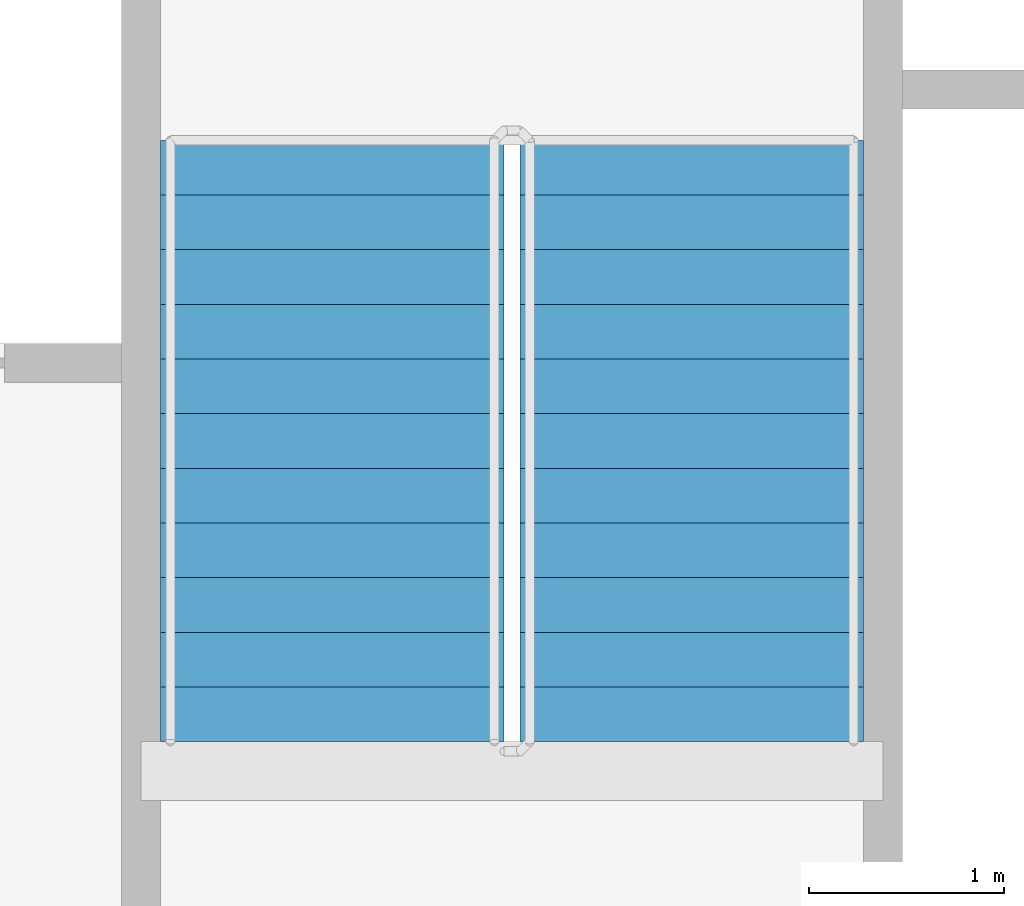
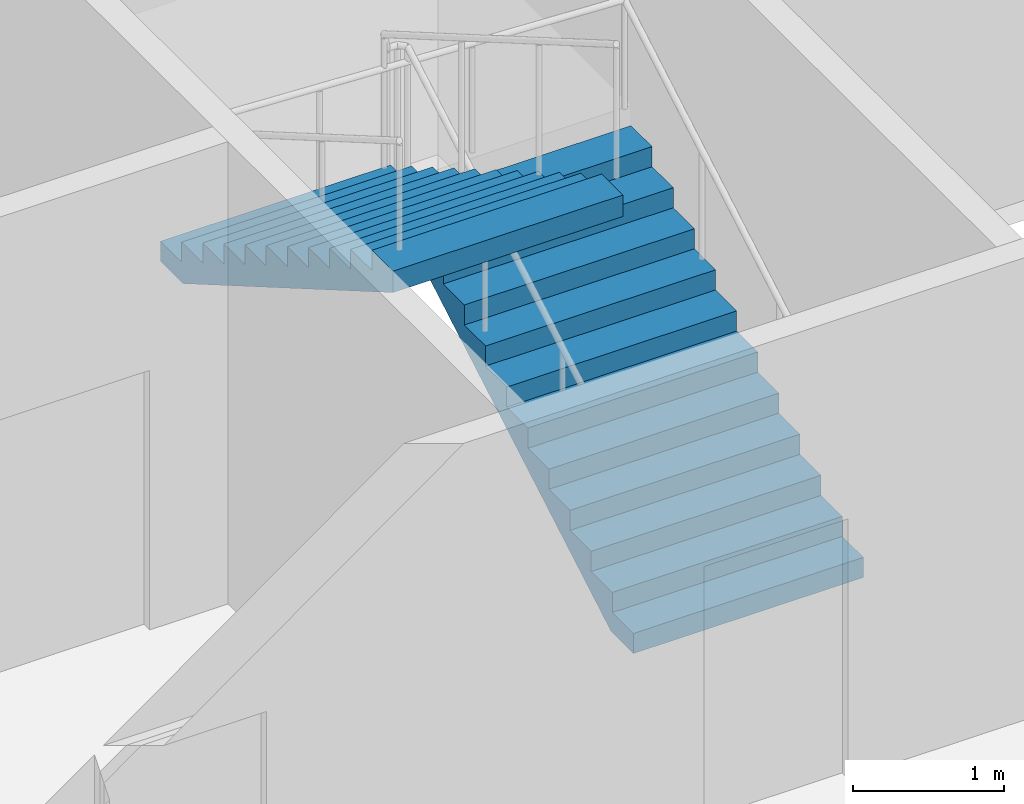
# One storey, part 17 of 22: 2 stair flights, 1 element without a shape of its own.
"""IFC4 building model written with IfcOpenShell, lengths in metres."""

from ifc_helpers import new_model, si_unit, direction, frame, origin, place, context, subcontext, project, spatial, faceted_brep, material, type_object, element, aggregate, save


model = new_model("IFC4")

# Units and contexts
model_context = context("Model", 3, precision=1e-05, world=origin(), true_north=direction((0.0, 1.0)))
body_context = subcontext(model_context, "Body", "Model", "MODEL_VIEW")
ifc_project = project(units=[si_unit("LENGTHUNIT", "METRE"), si_unit("AREAUNIT", "SQUARE_METRE"), si_unit("VOLUMEUNIT", "CUBIC_METRE"), si_unit("PLANEANGLEUNIT", "RADIAN"), si_unit("MASSUNIT", "GRAM", prefix="KILO")], contexts=[model_context])

# Site, building, storey
site_placement = place(None, origin())
site = spatial("IfcSite", under=ifc_project, at=site_placement, CompositionType="ELEMENT")
building_placement = place(site_placement, origin())
building = spatial("IfcBuilding", under=site, at=building_placement, Name="Tarsis Ring Headquarters", CompositionType="ELEMENT")
storey_placement = place(building_placement, frame((0.0, 0.0, 286.39990234375)))
storey = spatial("IfcBuildingStorey", under=building, at=storey_placement, Name="L67", CompositionType="ELEMENT", Elevation=286.39990234375)

# Stair, stair flights
ifc_material_1 = material(Name="Core stair 1760")
stair_type = type_object("IfcStairType", Name="Core stair 1760", PredefinedType="HALF_TURN_STAIR", material=ifc_material_1)
stair_placement = place(storey_placement, origin())
stair = element("IfcStair", 1, at=stair_placement, inside=storey, type_object=stair_type, Name="L67 Exit stair B", PredefinedType="HALF_TURN_STAIR")
ifc_material_2 = material(Name="Concrete C40/50", Category="concrete")
stair_flight_type = type_object("IfcStairFlightType", Name="Core stair flight 1760", PredefinedType="STRAIGHT", material=ifc_material_2)
stair_flight_1_placement = place(storey_placement, frame((5.419921875, 3.659912109375, 0.0), z_axis=(0.0, 0.0, 1.0), x_axis=(0.0, 1.0, 0.0)))
stair_flight_1 = element("IfcStairFlight", 2, at=stair_flight_1_placement, type_object=stair_flight_type, Name="Stair ST2 flight 1", NumberOfRisers=12, NumberOfTreads=11, PredefinedType="STRAIGHT", RiserHeight=0.1625, TreadLength=0.28, context=body_context, shape_type="Brep", body=[
    faceted_brep([(0.0, 0.8798828125, 0.0), (0.0, 0.8798828125, 0.16259765625), (0.280029296875, 0.8798828125, 0.16259765625), (0.280029296875, 0.8798828125, 0.324951171875), (0.56005859375, 0.8798828125, 0.324951171875), (0.56005859375, 0.8798828125, 0.487548828125), (0.840087890625, 0.8798828125, 0.487548828125), (0.840087890625, 0.8798828125, 0.64990234375), (1.1201171875, 0.8798828125, 0.64990234375), (1.1201171875, 0.8798828125, 0.8125), (1.39990234375, 0.8798828125, 0.8125), (1.39990234375, 0.8798828125, 0.97509765625), (1.679931640625, 0.8798828125, 0.97509765625), (1.679931640625, 0.8798828125, 1.137451171875), (1.9599609375, 0.8798828125, 1.137451171875), (1.9599609375, 0.8798828125, 1.300048828125), (2.239990234375, 0.8798828125, 1.300048828125), (2.239990234375, 0.8798828125, 1.46240234375), (2.52001953125, 0.8798828125, 1.46240234375), (2.52001953125, 0.8798828125, 1.625), (2.800048828125, 0.8798828125, 1.625), (2.800048828125, 0.8798828125, 1.78759765625), (3.080078125, 0.8798828125, 1.78759765625), (3.080078125, 0.8798828125, 1.6142578125), (0.298583984375, 0.8798828125, 0.0), (0.298583984375, -0.8798828125, 0.0), (3.080078125, -0.8798828125, 1.6142578125), (3.080078125, -0.8798828125, 1.78759765625), (2.800048828125, -0.8798828125, 1.78759765625), (2.800048828125, -0.8798828125, 1.625), (2.52001953125, -0.8798828125, 1.625), (2.52001953125, -0.8798828125, 1.46240234375), (2.239990234375, -0.8798828125, 1.46240234375), (2.239990234375, -0.8798828125, 1.300048828125), (1.9599609375, -0.8798828125, 1.300048828125), (1.9599609375, -0.8798828125, 1.137451171875), (1.679931640625, -0.8798828125, 1.137451171875), (1.679931640625, -0.8798828125, 0.97509765625), (1.39990234375, -0.8798828125, 0.97509765625), (1.39990234375, -0.8798828125, 0.8125), (1.1201171875, -0.8798828125, 0.8125), (1.1201171875, -0.8798828125, 0.64990234375), (0.840087890625, -0.8798828125, 0.64990234375), (0.840087890625, -0.8798828125, 0.487548828125), (0.56005859375, -0.8798828125, 0.487548828125), (0.56005859375, -0.8798828125, 0.324951171875), (0.280029296875, -0.8798828125, 0.324951171875), (0.280029296875, -0.8798828125, 0.16259765625), (0.0, -0.8798828125, 0.16259765625), (0.0, -0.8798828125, 0.0), (0.0, -0.43994140625, 0.16259765625), (0.0, -0.43994140625, 0.0), (0.0, 0.0, 0.16259765625), (0.0, 0.0, 0.0), (0.0, 0.43994140625, 0.16259765625), (0.0, 0.43994140625, 0.0), (0.280029296875, -0.43994140625, 0.16259765625), (0.280029296875, 0.0, 0.16259765625), (0.280029296875, 0.43994140625, 0.16259765625), (0.280029296875, -0.43994140625, 0.324951171875), (0.280029296875, 0.0, 0.324951171875), (0.280029296875, 0.43994140625, 0.324951171875), (0.56005859375, -0.43994140625, 0.324951171875), (0.56005859375, 0.0, 0.324951171875), (0.56005859375, 0.43994140625, 0.324951171875), (0.56005859375, -0.43994140625, 0.487548828125), (0.56005859375, 0.0, 0.487548828125), (0.56005859375, 0.43994140625, 0.487548828125), (0.840087890625, -0.43994140625, 0.487548828125), (0.840087890625, 0.0, 0.487548828125), (0.840087890625, 0.43994140625, 0.487548828125), (0.840087890625, -0.43994140625, 0.64990234375), (0.840087890625, 0.0, 0.64990234375), (0.840087890625, 0.43994140625, 0.64990234375), (1.1201171875, -0.43994140625, 0.64990234375), (1.1201171875, 0.0, 0.64990234375), (1.1201171875, 0.43994140625, 0.64990234375), (1.1201171875, -0.43994140625, 0.8125), (1.1201171875, 0.0, 0.8125), (1.1201171875, 0.43994140625, 0.8125), (1.39990234375, -0.43994140625, 0.8125), (1.39990234375, 0.0, 0.8125), (1.39990234375, 0.43994140625, 0.8125), (1.39990234375, -0.43994140625, 0.97509765625), (1.39990234375, 0.0, 0.97509765625), (1.39990234375, 0.43994140625, 0.97509765625), (1.679931640625, -0.43994140625, 0.97509765625), (1.679931640625, 0.0, 0.97509765625), (1.679931640625, 0.43994140625, 0.97509765625), (1.679931640625, -0.43994140625, 1.137451171875), (1.679931640625, 0.0, 1.137451171875), (1.679931640625, 0.43994140625, 1.137451171875), (1.9599609375, -0.43994140625, 1.137451171875), (1.9599609375, 0.0, 1.137451171875), (1.9599609375, 0.43994140625, 1.137451171875), (1.9599609375, -0.43994140625, 1.300048828125), (1.9599609375, 0.0, 1.300048828125), (1.9599609375, 0.43994140625, 1.300048828125), (2.239990234375, -0.43994140625, 1.300048828125), (2.239990234375, 0.0, 1.300048828125), (2.239990234375, 0.43994140625, 1.300048828125), (2.239990234375, -0.43994140625, 1.46240234375), (2.239990234375, 0.0, 1.46240234375), (2.239990234375, 0.43994140625, 1.46240234375), (2.52001953125, -0.43994140625, 1.46240234375), (2.52001953125, 0.0, 1.46240234375), (2.52001953125, 0.43994140625, 1.46240234375), (2.52001953125, -0.43994140625, 1.625), (2.52001953125, 0.0, 1.625), (2.52001953125, 0.43994140625, 1.625), (2.800048828125, -0.43994140625, 1.625), (2.800048828125, 0.0, 1.625), (2.800048828125, 0.43994140625, 1.625), (2.800048828125, -0.43994140625, 1.78759765625), (2.800048828125, 0.0, 1.78759765625), (2.800048828125, 0.43994140625, 1.78759765625), (3.080078125, -0.43994140625, 1.78759765625), (3.080078125, 0.0, 1.78759765625), (3.080078125, 0.43994140625, 1.78759765625), (3.080078125, -0.43994140625, 1.6142578125), (3.080078125, 0.0, 1.6142578125), (3.080078125, 0.43994140625, 1.6142578125), (0.298583984375, -0.43994140625, 0.0), (0.298583984375, 0.0, 0.0), (0.298583984375, 0.43994140625, 0.0)], [[[0, 1, 2, 3, 4, 5, 6, 7, 8, 9, 10, 11, 12, 13, 14, 15, 16, 17, 18, 19, 20, 21, 22, 23, 24]], [[25, 26, 27, 28, 29, 30, 31, 32, 33, 34, 35, 36, 37, 38, 39, 40, 41, 42, 43, 44, 45, 46, 47, 48, 49]], [[49, 48, 50, 51]], [[51, 50, 52, 53]], [[53, 52, 54, 55]], [[55, 54, 1, 0]], [[48, 47, 56, 50]], [[50, 56, 57, 52]], [[52, 57, 58, 54]], [[54, 58, 2, 1]], [[47, 46, 59, 56]], [[56, 59, 60, 57]], [[57, 60, 61, 58]], [[58, 61, 3, 2]], [[46, 45, 62, 59]], [[59, 62, 63, 60]], [[60, 63, 64, 61]], [[61, 64, 4, 3]], [[45, 44, 65, 62]], [[62, 65, 66, 63]], [[63, 66, 67, 64]], [[64, 67, 5, 4]], [[44, 43, 68, 65]], [[65, 68, 69, 66]], [[66, 69, 70, 67]], [[67, 70, 6, 5]], [[43, 42, 71, 68]], [[68, 71, 72, 69]], [[69, 72, 73, 70]], [[70, 73, 7, 6]], [[42, 41, 74, 71]], [[71, 74, 75, 72]], [[72, 75, 76, 73]], [[73, 76, 8, 7]], [[41, 40, 77, 74]], [[74, 77, 78, 75]], [[75, 78, 79, 76]], [[76, 79, 9, 8]], [[40, 39, 80, 77]], [[77, 80, 81, 78]], [[78, 81, 82, 79]], [[79, 82, 10, 9]], [[39, 38, 83, 80]], [[80, 83, 84, 81]], [[81, 84, 85, 82]], [[82, 85, 11, 10]], [[38, 37, 86, 83]], [[83, 86, 87, 84]], [[84, 87, 88, 85]], [[85, 88, 12, 11]], [[37, 36, 89, 86]], [[86, 89, 90, 87]], [[87, 90, 91, 88]], [[88, 91, 13, 12]], [[36, 35, 92, 89]], [[89, 92, 93, 90]], [[90, 93, 94, 91]], [[91, 94, 14, 13]], [[35, 34, 95, 92]], [[92, 95, 96, 93]], [[93, 96, 97, 94]], [[94, 97, 15, 14]], [[34, 33, 98, 95]], [[95, 98, 99, 96]], [[96, 99, 100, 97]], [[97, 100, 16, 15]], [[33, 32, 101, 98]], [[98, 101, 102, 99]], [[99, 102, 103, 100]], [[100, 103, 17, 16]], [[32, 31, 104, 101]], [[101, 104, 105, 102]], [[102, 105, 106, 103]], [[103, 106, 18, 17]], [[31, 30, 107, 104]], [[104, 107, 108, 105]], [[105, 108, 109, 106]], [[106, 109, 19, 18]], [[30, 29, 110, 107]], [[107, 110, 111, 108]], [[108, 111, 112, 109]], [[109, 112, 20, 19]], [[29, 28, 113, 110]], [[110, 113, 114, 111]], [[111, 114, 115, 112]], [[112, 115, 21, 20]], [[28, 27, 116, 113]], [[113, 116, 117, 114]], [[114, 117, 118, 115]], [[115, 118, 22, 21]], [[27, 26, 119, 116]], [[116, 119, 120, 117]], [[117, 120, 121, 118]], [[118, 121, 23, 22]], [[26, 25, 122, 119]], [[119, 122, 123, 120]], [[120, 123, 124, 121]], [[121, 124, 24, 23]], [[25, 49, 51, 122]], [[122, 51, 53, 123]], [[123, 53, 55, 124]], [[124, 55, 0, 24]]]),
])
stair_flight_2_placement = place(storey_placement, frame((3.580078125, 6.739990234375, 1.9501953125), z_axis=(0.0, 0.0, 1.0), x_axis=(0.0, -1.0, 0.0)))
stair_flight_2 = element("IfcStairFlight", 3, at=stair_flight_2_placement, type_object=stair_flight_type, Name="Stair ST2 flight 2", NumberOfRisers=12, NumberOfTreads=11, PredefinedType="STRAIGHT", RiserHeight=0.1625, TreadLength=0.28, context=body_context, shape_type="Brep", body=[
    faceted_brep([(0.0, 0.8798828125, 0.0), (0.0, 0.8798828125, 0.16259765625), (0.280029296875, 0.8798828125, 0.16259765625), (0.280029296875, 0.8798828125, 0.324951171875), (0.56005859375, 0.8798828125, 0.324951171875), (0.56005859375, 0.8798828125, 0.487548828125), (0.840087890625, 0.8798828125, 0.487548828125), (0.840087890625, 0.8798828125, 0.64990234375), (1.1201171875, 0.8798828125, 0.64990234375), (1.1201171875, 0.8798828125, 0.8125), (1.39990234375, 0.8798828125, 0.8125), (1.39990234375, 0.8798828125, 0.97509765625), (1.679931640625, 0.8798828125, 0.97509765625), (1.679931640625, 0.8798828125, 1.137451171875), (1.9599609375, 0.8798828125, 1.137451171875), (1.9599609375, 0.8798828125, 1.300048828125), (2.239990234375, 0.8798828125, 1.300048828125), (2.239990234375, 0.8798828125, 1.46240234375), (2.52001953125, 0.8798828125, 1.46240234375), (2.52001953125, 0.8798828125, 1.625), (2.800048828125, 0.8798828125, 1.625), (2.800048828125, 0.8798828125, 1.78759765625), (3.080078125, 0.8798828125, 1.78759765625), (3.080078125, 0.8798828125, 1.6142578125), (0.298583984375, 0.8798828125, 0.0), (0.298583984375, -0.8798828125, 0.0), (3.080078125, -0.8798828125, 1.6142578125), (3.080078125, -0.8798828125, 1.78759765625), (2.800048828125, -0.8798828125, 1.78759765625), (2.800048828125, -0.8798828125, 1.625), (2.52001953125, -0.8798828125, 1.625), (2.52001953125, -0.8798828125, 1.46240234375), (2.239990234375, -0.8798828125, 1.46240234375), (2.239990234375, -0.8798828125, 1.300048828125), (1.9599609375, -0.8798828125, 1.300048828125), (1.9599609375, -0.8798828125, 1.137451171875), (1.679931640625, -0.8798828125, 1.137451171875), (1.679931640625, -0.8798828125, 0.97509765625), (1.39990234375, -0.8798828125, 0.97509765625), (1.39990234375, -0.8798828125, 0.8125), (1.1201171875, -0.8798828125, 0.8125), (1.1201171875, -0.8798828125, 0.64990234375), (0.840087890625, -0.8798828125, 0.64990234375), (0.840087890625, -0.8798828125, 0.487548828125), (0.56005859375, -0.8798828125, 0.487548828125), (0.56005859375, -0.8798828125, 0.324951171875), (0.280029296875, -0.8798828125, 0.324951171875), (0.280029296875, -0.8798828125, 0.16259765625), (0.0, -0.8798828125, 0.16259765625), (0.0, -0.8798828125, 0.0), (0.0, -0.43994140625, 0.16259765625), (0.0, -0.43994140625, 0.0), (0.0, 0.0, 0.16259765625), (0.0, 0.0, 0.0), (0.0, 0.43994140625, 0.16259765625), (0.0, 0.43994140625, 0.0), (0.280029296875, -0.43994140625, 0.16259765625), (0.280029296875, 0.0, 0.16259765625), (0.280029296875, 0.43994140625, 0.16259765625), (0.280029296875, -0.43994140625, 0.324951171875), (0.280029296875, 0.0, 0.324951171875), (0.280029296875, 0.43994140625, 0.324951171875), (0.56005859375, -0.43994140625, 0.324951171875), (0.56005859375, 0.0, 0.324951171875), (0.56005859375, 0.43994140625, 0.324951171875), (0.56005859375, -0.43994140625, 0.487548828125), (0.56005859375, 0.0, 0.487548828125), (0.56005859375, 0.43994140625, 0.487548828125), (0.840087890625, -0.43994140625, 0.487548828125), (0.840087890625, 0.0, 0.487548828125), (0.840087890625, 0.43994140625, 0.487548828125), (0.840087890625, -0.43994140625, 0.64990234375), (0.840087890625, 0.0, 0.64990234375), (0.840087890625, 0.43994140625, 0.64990234375), (1.1201171875, -0.43994140625, 0.64990234375), (1.1201171875, 0.0, 0.64990234375), (1.1201171875, 0.43994140625, 0.64990234375), (1.1201171875, -0.43994140625, 0.8125), (1.1201171875, 0.0, 0.8125), (1.1201171875, 0.43994140625, 0.8125), (1.39990234375, -0.43994140625, 0.8125), (1.39990234375, 0.0, 0.8125), (1.39990234375, 0.43994140625, 0.8125), (1.39990234375, -0.43994140625, 0.97509765625), (1.39990234375, 0.0, 0.97509765625), (1.39990234375, 0.43994140625, 0.97509765625), (1.679931640625, -0.43994140625, 0.97509765625), (1.679931640625, 0.0, 0.97509765625), (1.679931640625, 0.43994140625, 0.97509765625), (1.679931640625, -0.43994140625, 1.137451171875), (1.679931640625, 0.0, 1.137451171875), (1.679931640625, 0.43994140625, 1.137451171875), (1.9599609375, -0.43994140625, 1.137451171875), (1.9599609375, 0.0, 1.137451171875), (1.9599609375, 0.43994140625, 1.137451171875), (1.9599609375, -0.43994140625, 1.300048828125), (1.9599609375, 0.0, 1.300048828125), (1.9599609375, 0.43994140625, 1.300048828125), (2.239990234375, -0.43994140625, 1.300048828125), (2.239990234375, 0.0, 1.300048828125), (2.239990234375, 0.43994140625, 1.300048828125), (2.239990234375, -0.43994140625, 1.46240234375), (2.239990234375, 0.0, 1.46240234375), (2.239990234375, 0.43994140625, 1.46240234375), (2.52001953125, -0.43994140625, 1.46240234375), (2.52001953125, 0.0, 1.46240234375), (2.52001953125, 0.43994140625, 1.46240234375), (2.52001953125, -0.43994140625, 1.625), (2.52001953125, 0.0, 1.625), (2.52001953125, 0.43994140625, 1.625), (2.800048828125, -0.43994140625, 1.625), (2.800048828125, 0.0, 1.625), (2.800048828125, 0.43994140625, 1.625), (2.800048828125, -0.43994140625, 1.78759765625), (2.800048828125, 0.0, 1.78759765625), (2.800048828125, 0.43994140625, 1.78759765625), (3.080078125, -0.43994140625, 1.78759765625), (3.080078125, 0.0, 1.78759765625), (3.080078125, 0.43994140625, 1.78759765625), (3.080078125, -0.43994140625, 1.6142578125), (3.080078125, 0.0, 1.6142578125), (3.080078125, 0.43994140625, 1.6142578125), (0.298583984375, -0.43994140625, 0.0), (0.298583984375, 0.0, 0.0), (0.298583984375, 0.43994140625, 0.0)], [[[0, 1, 2, 3, 4, 5, 6, 7, 8, 9, 10, 11, 12, 13, 14, 15, 16, 17, 18, 19, 20, 21, 22, 23, 24]], [[25, 26, 27, 28, 29, 30, 31, 32, 33, 34, 35, 36, 37, 38, 39, 40, 41, 42, 43, 44, 45, 46, 47, 48, 49]], [[49, 48, 50, 51]], [[51, 50, 52, 53]], [[53, 52, 54, 55]], [[55, 54, 1, 0]], [[48, 47, 56, 50]], [[50, 56, 57, 52]], [[52, 57, 58, 54]], [[54, 58, 2, 1]], [[47, 46, 59, 56]], [[56, 59, 60, 57]], [[57, 60, 61, 58]], [[58, 61, 3, 2]], [[46, 45, 62, 59]], [[59, 62, 63, 60]], [[60, 63, 64, 61]], [[61, 64, 4, 3]], [[45, 44, 65, 62]], [[62, 65, 66, 63]], [[63, 66, 67, 64]], [[64, 67, 5, 4]], [[44, 43, 68, 65]], [[65, 68, 69, 66]], [[66, 69, 70, 67]], [[67, 70, 6, 5]], [[43, 42, 71, 68]], [[68, 71, 72, 69]], [[69, 72, 73, 70]], [[70, 73, 7, 6]], [[42, 41, 74, 71]], [[71, 74, 75, 72]], [[72, 75, 76, 73]], [[73, 76, 8, 7]], [[41, 40, 77, 74]], [[74, 77, 78, 75]], [[75, 78, 79, 76]], [[76, 79, 9, 8]], [[40, 39, 80, 77]], [[77, 80, 81, 78]], [[78, 81, 82, 79]], [[79, 82, 10, 9]], [[39, 38, 83, 80]], [[80, 83, 84, 81]], [[81, 84, 85, 82]], [[82, 85, 11, 10]], [[38, 37, 86, 83]], [[83, 86, 87, 84]], [[84, 87, 88, 85]], [[85, 88, 12, 11]], [[37, 36, 89, 86]], [[86, 89, 90, 87]], [[87, 90, 91, 88]], [[88, 91, 13, 12]], [[36, 35, 92, 89]], [[89, 92, 93, 90]], [[90, 93, 94, 91]], [[91, 94, 14, 13]], [[35, 34, 95, 92]], [[92, 95, 96, 93]], [[93, 96, 97, 94]], [[94, 97, 15, 14]], [[34, 33, 98, 95]], [[95, 98, 99, 96]], [[96, 99, 100, 97]], [[97, 100, 16, 15]], [[33, 32, 101, 98]], [[98, 101, 102, 99]], [[99, 102, 103, 100]], [[100, 103, 17, 16]], [[32, 31, 104, 101]], [[101, 104, 105, 102]], [[102, 105, 106, 103]], [[103, 106, 18, 17]], [[31, 30, 107, 104]], [[104, 107, 108, 105]], [[105, 108, 109, 106]], [[106, 109, 19, 18]], [[30, 29, 110, 107]], [[107, 110, 111, 108]], [[108, 111, 112, 109]], [[109, 112, 20, 19]], [[29, 28, 113, 110]], [[110, 113, 114, 111]], [[111, 114, 115, 112]], [[112, 115, 21, 20]], [[28, 27, 116, 113]], [[113, 116, 117, 114]], [[114, 117, 118, 115]], [[115, 118, 22, 21]], [[27, 26, 119, 116]], [[116, 119, 120, 117]], [[117, 120, 121, 118]], [[118, 121, 23, 22]], [[26, 25, 122, 119]], [[119, 122, 123, 120]], [[120, 123, 124, 121]], [[121, 124, 24, 23]], [[25, 49, 51, 122]], [[122, 51, 53, 123]], [[123, 53, 55, 124]], [[124, 55, 0, 24]]]),
])
aggregate(stair, [stair_flight_1, stair_flight_2])

save(model, "model.ifc")
